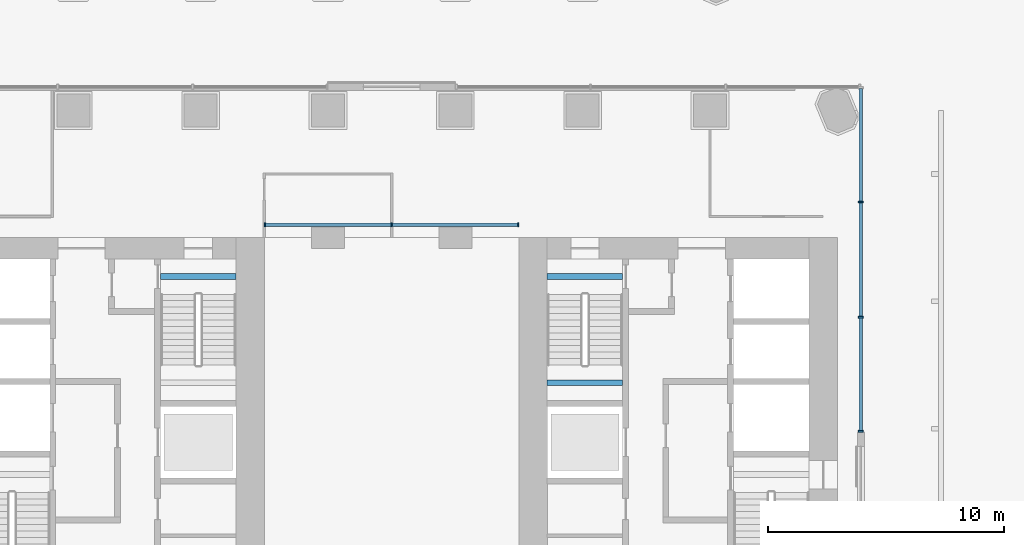
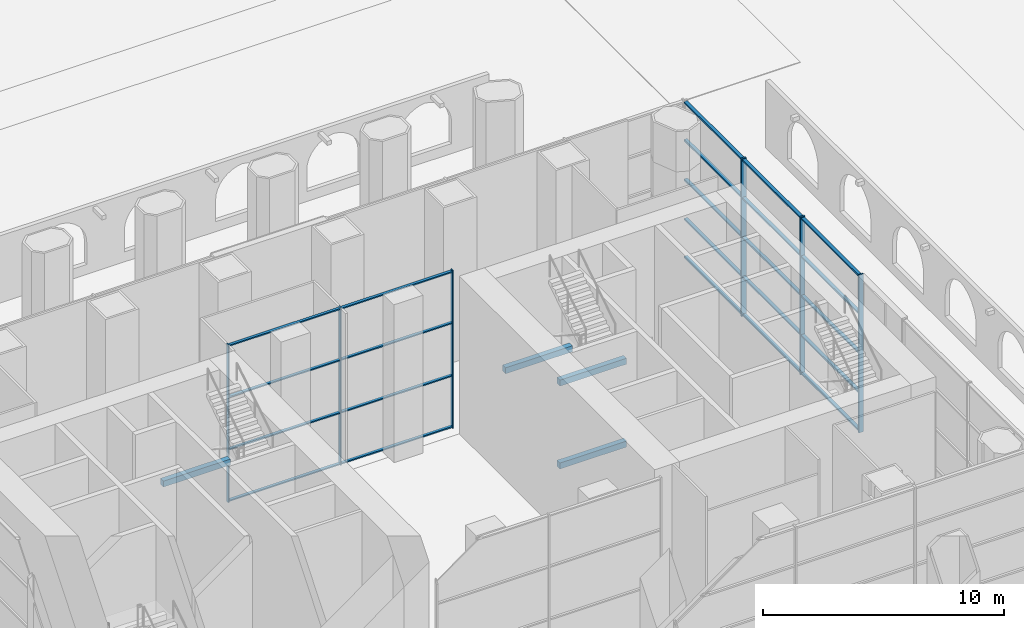
# One storey, part 10 of 54: 29 members, 4 beams, 2 elements without a shape of their own.
"""IFC4 building model written with IfcOpenShell, lengths in metres."""

from ifc_helpers import new_model, si_unit, direction, frame, origin, origin_2d, place, context, subcontext, project, spatial, rectangle, extrude, material, material_profile, profile_set, type_object, element, aggregate, save


model = new_model("IFC4")

# Units and contexts
model_context = context("Model", 3, precision=1e-05, world=origin(), true_north=direction((0.0, 1.0)))
body_context = subcontext(model_context, "Body", "Model", "MODEL_VIEW")
ifc_project = project(units=[si_unit("LENGTHUNIT", "METRE"), si_unit("AREAUNIT", "SQUARE_METRE"), si_unit("VOLUMEUNIT", "CUBIC_METRE"), si_unit("PLANEANGLEUNIT", "RADIAN"), si_unit("MASSUNIT", "GRAM", prefix="KILO")], contexts=[model_context])

# Site, building, storey
site_placement = place(None, origin())
site = spatial("IfcSite", under=ifc_project, at=site_placement, CompositionType="ELEMENT")
building_placement = place(site_placement, origin())
building = spatial("IfcBuilding", under=site, at=building_placement, Name="Tabaq Tower and Sports Hall", CompositionType="ELEMENT")
storey_placement = place(building_placement, origin())
storey = spatial("IfcBuildingStorey", under=building, at=storey_placement, Name="L00", CompositionType="ELEMENT", Elevation=0.0)

# Curtain wall, members
ifc_material_1 = material(Name="Aluminium alloy 6063-T6 framed glazing", Category="aluminium")
curtain_wall_type_1 = type_object("IfcCurtainWallType", Name="CW1 curtain wall", PredefinedType="USERDEFINED", material=ifc_material_1)
curtain_wall_1_placement = place(storey_placement, origin())
curtain_wall_1 = element("IfcCurtainWall", 1, at=curtain_wall_1_placement, inside=storey, type_object=curtain_wall_type_1, Name="Atrium glazing L00 N", ObjectType="ATRIUM ENCLOSURE", PredefinedType="USERDEFINED")
ifc_material_2 = material(Name="Aluminium alloy 6063-T6", Category="aluminium")
ifc_material_profile_1 = material_profile(ifc_material_2, rectangle(XDim=0.159912109375, YDim=0.06005859375, at=origin_2d()), Name="MULLION 160x60")
ifc_profile_set_1 = profile_set([ifc_material_profile_1], Name="Aluminium alloy 6063-T6")
member_type_1 = type_object("IfcMemberType", Name="CW1 mullion 160x60", PredefinedType="MULLION", material=ifc_profile_set_1)
member_1_placement = place(storey_placement, frame((18.929931640625, 32.949951171875, 0.0), z_axis=(0.0, 0.0, 1.0), x_axis=(0.0, 1.0, 0.0)))
member_1 = element("IfcMember", 2, at=member_1_placement, type_object=member_type_1, Name="CW1 mullion 1", PredefinedType="MULLION", context=body_context, shape_type="SweptSolid", body=[
    extrude(rectangle(XDim=0.159912109375, YDim=0.06005859375, at=origin_2d()), origin(), (0.0, 0.0, 1.0), 8.0),
])
member_2_placement = place(storey_placement, frame((24.300048828125, 32.949951171875, 0.0), z_axis=(0.0, 0.0, 1.0), x_axis=(0.0, 1.0, 0.0)))
member_2 = element("IfcMember", 3, at=member_2_placement, type_object=member_type_1, Name="CW1 mullion 2", PredefinedType="MULLION", context=body_context, shape_type="SweptSolid", body=[
    extrude(rectangle(XDim=0.159912109375, YDim=0.06005859375, at=origin_2d()), origin(), (0.0, 0.0, 1.0), 8.0),
])
member_3_placement = place(storey_placement, frame((29.669921875, 32.949951171875, 0.0), z_axis=(0.0, 0.0, 1.0), x_axis=(0.0, 1.0, 0.0)))
member_3 = element("IfcMember", 4, at=member_3_placement, type_object=member_type_1, Name="CW1 mullion 3", PredefinedType="MULLION", context=body_context, shape_type="SweptSolid", body=[
    extrude(rectangle(XDim=0.159912109375, YDim=0.06005859375, at=origin_2d()), origin(), (0.0, 0.0, 1.0), 8.0),
])
ifc_material_3 = material(Name="Aluminium alloy 6063-T6", Category="aluminium")
ifc_material_profile_2 = material_profile(ifc_material_3, rectangle(XDim=0.139892578125, YDim=0.06005859375, at=origin_2d()), Name="TRANSOM 140x60")
ifc_profile_set_2 = profile_set([ifc_material_profile_2], Name="Aluminium alloy 6063-T6")
member_type_2 = type_object("IfcMemberType", Name="CW1 transom 140x60", PredefinedType="USERDEFINED", material=ifc_profile_set_2)
member_4_placement = place(storey_placement, frame((18.9599609375, 32.949951171875, 0.070068359375), z_axis=(1.0, 0.0, 0.0), x_axis=(0.0, 1.0, 0.0)))
member_4 = element("IfcMember", 5, at=member_4_placement, type_object=member_type_2, Name="CW1 transom 1.1", ObjectType="TRANSOM", PredefinedType="USERDEFINED", context=body_context, shape_type="SweptSolid", body=[
    extrude(rectangle(XDim=0.139892578125, YDim=0.06005859375, at=origin_2d()), origin(), (0.0, 0.0, 1.0), 5.31005859375),
])
member_5_placement = place(storey_placement, frame((18.9599609375, 32.949951171875, 2.666748046875), z_axis=(1.0, 0.0, 0.0), x_axis=(0.0, 1.0, 0.0)))
member_5 = element("IfcMember", 6, at=member_5_placement, type_object=member_type_2, Name="CW1 transom 1.2", ObjectType="TRANSOM", PredefinedType="USERDEFINED", context=body_context, shape_type="SweptSolid", body=[
    extrude(rectangle(XDim=0.139892578125, YDim=0.06005859375, at=origin_2d()), origin(), (0.0, 0.0, 1.0), 5.31005859375),
])
member_6_placement = place(storey_placement, frame((18.9599609375, 32.949951171875, 5.333251953125), z_axis=(1.0, 0.0, 0.0), x_axis=(0.0, 1.0, 0.0)))
member_6 = element("IfcMember", 7, at=member_6_placement, type_object=member_type_2, Name="CW1 transom 1.3", ObjectType="TRANSOM", PredefinedType="USERDEFINED", context=body_context, shape_type="SweptSolid", body=[
    extrude(rectangle(XDim=0.139892578125, YDim=0.06005859375, at=origin_2d()), origin(), (0.0, 0.0, 1.0), 5.31005859375),
])
member_7_placement = place(storey_placement, frame((18.9599609375, 32.949951171875, 7.929931640625), z_axis=(1.0, 0.0, 0.0), x_axis=(0.0, 1.0, 0.0)))
member_7 = element("IfcMember", 8, at=member_7_placement, type_object=member_type_2, Name="CW1 transom 1.4", ObjectType="TRANSOM", PredefinedType="USERDEFINED", context=body_context, shape_type="SweptSolid", body=[
    extrude(rectangle(XDim=0.139892578125, YDim=0.06005859375, at=origin_2d()), origin(), (0.0, 0.0, 1.0), 5.31005859375),
])
member_8_placement = place(storey_placement, frame((24.330078125, 32.949951171875, 0.070068359375), z_axis=(1.0, 0.0, 0.0), x_axis=(0.0, 1.0, 0.0)))
member_8 = element("IfcMember", 9, at=member_8_placement, type_object=member_type_2, Name="CW1 transom 2.1", ObjectType="TRANSOM", PredefinedType="USERDEFINED", context=body_context, shape_type="SweptSolid", body=[
    extrude(rectangle(XDim=0.139892578125, YDim=0.06005859375, at=origin_2d()), origin(), (0.0, 0.0, 1.0), 5.309814453125),
])
member_9_placement = place(storey_placement, frame((24.330078125, 32.949951171875, 2.666748046875), z_axis=(1.0, 0.0, 0.0), x_axis=(0.0, 1.0, 0.0)))
member_9 = element("IfcMember", 10, at=member_9_placement, type_object=member_type_2, Name="CW1 transom 2.2", ObjectType="TRANSOM", PredefinedType="USERDEFINED", context=body_context, shape_type="SweptSolid", body=[
    extrude(rectangle(XDim=0.139892578125, YDim=0.06005859375, at=origin_2d()), origin(), (0.0, 0.0, 1.0), 5.309814453125),
])
member_10_placement = place(storey_placement, frame((24.330078125, 32.949951171875, 5.333251953125), z_axis=(1.0, 0.0, 0.0), x_axis=(0.0, 1.0, 0.0)))
member_10 = element("IfcMember", 11, at=member_10_placement, type_object=member_type_2, Name="CW1 transom 2.3", ObjectType="TRANSOM", PredefinedType="USERDEFINED", context=body_context, shape_type="SweptSolid", body=[
    extrude(rectangle(XDim=0.139892578125, YDim=0.06005859375, at=origin_2d()), origin(), (0.0, 0.0, 1.0), 5.309814453125),
])
member_11_placement = place(storey_placement, frame((24.330078125, 32.949951171875, 7.929931640625), z_axis=(1.0, 0.0, 0.0), x_axis=(0.0, 1.0, 0.0)))
member_11 = element("IfcMember", 12, at=member_11_placement, type_object=member_type_2, Name="CW1 transom 2.4", ObjectType="TRANSOM", PredefinedType="USERDEFINED", context=body_context, shape_type="SweptSolid", body=[
    extrude(rectangle(XDim=0.139892578125, YDim=0.06005859375, at=origin_2d()), origin(), (0.0, 0.0, 1.0), 5.309814453125),
])
aggregate(curtain_wall_1, [member_1, member_2, member_3, member_4, member_5, member_6, member_7, member_8, member_9, member_10, member_11])

ifc_material_4 = material(Name="Aluminium alloy 6063-T6 framed glazing", Category="aluminium")
curtain_wall_type_2 = type_object("IfcCurtainWallType", Name="CW4 curtain wall", PredefinedType="USERDEFINED", material=ifc_material_4)
curtain_wall_2_placement = place(storey_placement, origin())
curtain_wall_2 = element("IfcCurtainWall", 13, at=curtain_wall_2_placement, inside=storey, type_object=curtain_wall_type_2, Name="Ground lobby wall E", ObjectType="GROUND LOBBY WALL", PredefinedType="USERDEFINED")
ifc_material_5 = material(Name="Aluminium alloy 6063-T6", Category="aluminium")
ifc_material_profile_3 = material_profile(ifc_material_5, rectangle(XDim=0.219970703125, YDim=0.080078125, at=origin_2d()), Name="MULLION 220x80")
ifc_profile_set_3 = profile_set([ifc_material_profile_3], Name="Aluminium alloy 6063-T6")
member_type_3 = type_object("IfcMemberType", Name="CW4 mullion 220x80", PredefinedType="MULLION", material=ifc_profile_set_3)
member_12_placement = place(storey_placement, frame((44.199951171875, 33.916748046875, 0.0), z_axis=(0.0, 0.0, 1.0), x_axis=(1.0, 0.0, 0.0)))
member_12 = element("IfcMember", 14, at=member_12_placement, type_object=member_type_3, Name="CW4 mullion 2", PredefinedType="MULLION", context=body_context, shape_type="SweptSolid", body=[
    extrude(rectangle(XDim=0.219970703125, YDim=0.080078125, at=origin_2d()), origin(), (0.0, 0.0, 1.0), 8.0),
])
member_13_placement = place(storey_placement, frame((44.199951171875, 29.033447265625, 0.0), z_axis=(0.0, 0.0, 1.0), x_axis=(1.0, 0.0, 0.0)))
member_13 = element("IfcMember", 15, at=member_13_placement, type_object=member_type_3, Name="CW4 mullion 3", PredefinedType="MULLION", context=body_context, shape_type="SweptSolid", body=[
    extrude(rectangle(XDim=0.219970703125, YDim=0.080078125, at=origin_2d()), origin(), (0.0, 0.0, 1.0), 8.0),
])
member_14_placement = place(storey_placement, frame((44.199951171875, 24.18994140625, 0.0), z_axis=(0.0, 0.0, 1.0), x_axis=(1.0, 0.0, 0.0)))
member_14 = element("IfcMember", 16, at=member_14_placement, type_object=member_type_3, Name="CW4 mullion 4", PredefinedType="MULLION", context=body_context, shape_type="SweptSolid", body=[
    extrude(rectangle(XDim=0.219970703125, YDim=0.080078125, at=origin_2d()), origin(), (0.0, 0.0, 1.0), 8.0),
])
ifc_material_6 = material(Name="Aluminium alloy 6063-T6", Category="aluminium")
ifc_material_profile_4 = material_profile(ifc_material_6, rectangle(XDim=0.159912109375, YDim=0.080078125, at=origin_2d()), Name="TRANSOM 160x80")
ifc_profile_set_4 = profile_set([ifc_material_profile_4], Name="Aluminium alloy 6063-T6")
member_type_4 = type_object("IfcMemberType", Name="CW4 transom 160x80", PredefinedType="USERDEFINED", material=ifc_profile_set_4)
member_15_placement = place(storey_placement, frame((44.199951171875, 38.719970703125, 0.080078125), z_axis=(0.0, -1.0, 0.0), x_axis=(1.0, 0.0, 0.0)))
member_15 = element("IfcMember", 17, at=member_15_placement, type_object=member_type_4, Name="CW4 transom 1.1", ObjectType="TRANSOM", PredefinedType="USERDEFINED", context=body_context, shape_type="SweptSolid", body=[
    extrude(rectangle(XDim=0.159912109375, YDim=0.080078125, at=origin_2d()), origin(), (0.0, 0.0, 1.0), 4.76318359375),
])
member_16_placement = place(storey_placement, frame((44.199951171875, 38.719970703125, 2.0), z_axis=(0.0, -1.0, 0.0), x_axis=(1.0, 0.0, 0.0)))
member_16 = element("IfcMember", 18, at=member_16_placement, type_object=member_type_4, Name="CW4 transom 1.2", ObjectType="TRANSOM", PredefinedType="USERDEFINED", context=body_context, shape_type="SweptSolid", body=[
    extrude(rectangle(XDim=0.159912109375, YDim=0.080078125, at=origin_2d()), origin(), (0.0, 0.0, 1.0), 4.76318359375),
])
member_17_placement = place(storey_placement, frame((44.199951171875, 38.719970703125, 4.0), z_axis=(0.0, -1.0, 0.0), x_axis=(1.0, 0.0, 0.0)))
member_17 = element("IfcMember", 19, at=member_17_placement, type_object=member_type_4, Name="CW4 transom 1.3", ObjectType="TRANSOM", PredefinedType="USERDEFINED", context=body_context, shape_type="SweptSolid", body=[
    extrude(rectangle(XDim=0.159912109375, YDim=0.080078125, at=origin_2d()), origin(), (0.0, 0.0, 1.0), 4.76318359375),
])
member_18_placement = place(storey_placement, frame((44.199951171875, 38.719970703125, 6.0), z_axis=(0.0, -1.0, 0.0), x_axis=(1.0, 0.0, 0.0)))
member_18 = element("IfcMember", 20, at=member_18_placement, type_object=member_type_4, Name="CW4 transom 1.4", ObjectType="TRANSOM", PredefinedType="USERDEFINED", context=body_context, shape_type="SweptSolid", body=[
    extrude(rectangle(XDim=0.159912109375, YDim=0.080078125, at=origin_2d()), origin(), (0.0, 0.0, 1.0), 4.76318359375),
])
member_19_placement = place(storey_placement, frame((44.199951171875, 38.719970703125, 7.919921875), z_axis=(0.0, -1.0, 0.0), x_axis=(1.0, 0.0, 0.0)))
member_19 = element("IfcMember", 21, at=member_19_placement, type_object=member_type_4, Name="CW4 transom 1.5", ObjectType="TRANSOM", PredefinedType="USERDEFINED", context=body_context, shape_type="SweptSolid", body=[
    extrude(rectangle(XDim=0.159912109375, YDim=0.080078125, at=origin_2d()), origin(), (0.0, 0.0, 1.0), 4.76318359375),
])
member_20_placement = place(storey_placement, frame((44.199951171875, 33.876708984375, 0.080078125), z_axis=(0.0, -1.0, 0.0), x_axis=(1.0, 0.0, 0.0)))
member_20 = element("IfcMember", 22, at=member_20_placement, type_object=member_type_4, Name="CW4 transom 2.1", ObjectType="TRANSOM", PredefinedType="USERDEFINED", context=body_context, shape_type="SweptSolid", body=[
    extrude(rectangle(XDim=0.159912109375, YDim=0.080078125, at=origin_2d()), origin(), (0.0, 0.0, 1.0), 4.803466796875),
])
member_21_placement = place(storey_placement, frame((44.199951171875, 33.876708984375, 2.0), z_axis=(0.0, -1.0, 0.0), x_axis=(1.0, 0.0, 0.0)))
member_21 = element("IfcMember", 23, at=member_21_placement, type_object=member_type_4, Name="CW4 transom 2.2", ObjectType="TRANSOM", PredefinedType="USERDEFINED", context=body_context, shape_type="SweptSolid", body=[
    extrude(rectangle(XDim=0.159912109375, YDim=0.080078125, at=origin_2d()), origin(), (0.0, 0.0, 1.0), 4.803466796875),
])
member_22_placement = place(storey_placement, frame((44.199951171875, 33.876708984375, 4.0), z_axis=(0.0, -1.0, 0.0), x_axis=(1.0, 0.0, 0.0)))
member_22 = element("IfcMember", 24, at=member_22_placement, type_object=member_type_4, Name="CW4 transom 2.3", ObjectType="TRANSOM", PredefinedType="USERDEFINED", context=body_context, shape_type="SweptSolid", body=[
    extrude(rectangle(XDim=0.159912109375, YDim=0.080078125, at=origin_2d()), origin(), (0.0, 0.0, 1.0), 4.803466796875),
])
member_23_placement = place(storey_placement, frame((44.199951171875, 33.876708984375, 6.0), z_axis=(0.0, -1.0, 0.0), x_axis=(1.0, 0.0, 0.0)))
member_23 = element("IfcMember", 25, at=member_23_placement, type_object=member_type_4, Name="CW4 transom 2.4", ObjectType="TRANSOM", PredefinedType="USERDEFINED", context=body_context, shape_type="SweptSolid", body=[
    extrude(rectangle(XDim=0.159912109375, YDim=0.080078125, at=origin_2d()), origin(), (0.0, 0.0, 1.0), 4.803466796875),
])
member_24_placement = place(storey_placement, frame((44.199951171875, 33.876708984375, 7.919921875), z_axis=(0.0, -1.0, 0.0), x_axis=(1.0, 0.0, 0.0)))
member_24 = element("IfcMember", 26, at=member_24_placement, type_object=member_type_4, Name="CW4 transom 2.5", ObjectType="TRANSOM", PredefinedType="USERDEFINED", context=body_context, shape_type="SweptSolid", body=[
    extrude(rectangle(XDim=0.159912109375, YDim=0.080078125, at=origin_2d()), origin(), (0.0, 0.0, 1.0), 4.803466796875),
])
member_25_placement = place(storey_placement, frame((44.199951171875, 28.993408203125, 0.080078125), z_axis=(0.0, -1.0, 0.0), x_axis=(1.0, 0.0, 0.0)))
member_25 = element("IfcMember", 27, at=member_25_placement, type_object=member_type_4, Name="CW4 transom 3.1", ObjectType="TRANSOM", PredefinedType="USERDEFINED", context=body_context, shape_type="SweptSolid", body=[
    extrude(rectangle(XDim=0.159912109375, YDim=0.080078125, at=origin_2d()), origin(), (0.0, 0.0, 1.0), 4.763427734375),
])
member_26_placement = place(storey_placement, frame((44.199951171875, 28.993408203125, 2.0), z_axis=(0.0, -1.0, 0.0), x_axis=(1.0, 0.0, 0.0)))
member_26 = element("IfcMember", 28, at=member_26_placement, type_object=member_type_4, Name="CW4 transom 3.2", ObjectType="TRANSOM", PredefinedType="USERDEFINED", context=body_context, shape_type="SweptSolid", body=[
    extrude(rectangle(XDim=0.159912109375, YDim=0.080078125, at=origin_2d()), origin(), (0.0, 0.0, 1.0), 4.763427734375),
])
member_27_placement = place(storey_placement, frame((44.199951171875, 28.993408203125, 4.0), z_axis=(0.0, -1.0, 0.0), x_axis=(1.0, 0.0, 0.0)))
member_27 = element("IfcMember", 29, at=member_27_placement, type_object=member_type_4, Name="CW4 transom 3.3", ObjectType="TRANSOM", PredefinedType="USERDEFINED", context=body_context, shape_type="SweptSolid", body=[
    extrude(rectangle(XDim=0.159912109375, YDim=0.080078125, at=origin_2d()), origin(), (0.0, 0.0, 1.0), 4.763427734375),
])
member_28_placement = place(storey_placement, frame((44.199951171875, 28.993408203125, 6.0), z_axis=(0.0, -1.0, 0.0), x_axis=(1.0, 0.0, 0.0)))
member_28 = element("IfcMember", 30, at=member_28_placement, type_object=member_type_4, Name="CW4 transom 3.4", ObjectType="TRANSOM", PredefinedType="USERDEFINED", context=body_context, shape_type="SweptSolid", body=[
    extrude(rectangle(XDim=0.159912109375, YDim=0.080078125, at=origin_2d()), origin(), (0.0, 0.0, 1.0), 4.763427734375),
])
member_29_placement = place(storey_placement, frame((44.199951171875, 28.993408203125, 7.919921875), z_axis=(0.0, -1.0, 0.0), x_axis=(1.0, 0.0, 0.0)))
member_29 = element("IfcMember", 31, at=member_29_placement, type_object=member_type_4, Name="CW4 transom 3.5", ObjectType="TRANSOM", PredefinedType="USERDEFINED", context=body_context, shape_type="SweptSolid", body=[
    extrude(rectangle(XDim=0.159912109375, YDim=0.080078125, at=origin_2d()), origin(), (0.0, 0.0, 1.0), 4.763427734375),
])
aggregate(curtain_wall_2, [member_12, member_13, member_14, member_15, member_16, member_17, member_18, member_19, member_20, member_21, member_22, member_23, member_24, member_25, member_26, member_27, member_28, member_29])

# Beams
ifc_material_7 = material(Name="Concrete C40/50", Category="concrete")
ifc_material_profile_5 = material_profile(ifc_material_7, rectangle(XDim=0.25, YDim=0.300048828125, at=origin_2d()), Name="RC 250x300")
ifc_profile_set_5 = profile_set([ifc_material_profile_5], Name="Concrete C40/50")
beam_type = type_object("IfcBeamType", Name="Stair landing beam 250x300", PredefinedType="BEAM", material=ifc_profile_set_5)
beam_placement = place(storey_placement, frame((14.5, 30.75, 3.85009765625), z_axis=(1.0, 0.0, 0.0), x_axis=(0.0, 1.0, 0.0)))
element("IfcBeam", 32, at=beam_placement, inside=storey, type_object=beam_type, Name="L00 ST2 landing beam 2", PredefinedType="BEAM", context=body_context, shape_type="SweptSolid", body=[
    extrude(rectangle(XDim=0.25, YDim=0.300048828125, at=origin_2d()), origin(), (0.0, 0.0, 1.0), 3.199951171875),
])
for number, where, z_axis, x_axis, name in (
    (33, (30.89990234375, 26.25, 1.75), (1.0, 0.0, 0.0), (0.0, 1.0, 0.0), "L00 ST4 landing beam 1"),
    (34, (30.89990234375, 30.75, 3.85009765625), (1.0, 0.0, 0.0), (0.0, 1.0, 0.0), "L00 ST4 landing beam 2"),
    (35, (30.89990234375, 26.25, 5.949951171875), (1.0, 0.0, 0.0), (0.0, 1.0, 0.0), "L00 ST4 landing beam 3"),
):
    element("IfcBeam", number, at=place(storey_placement, frame(where, z_axis=z_axis, x_axis=x_axis)), inside=storey, type_object=beam_type, Name=name, PredefinedType="BEAM", context=body_context, shape_type="SweptSolid", body=[
        extrude(rectangle(XDim=0.25, YDim=0.300048828125, at=origin_2d()), origin(), (0.0, 0.0, 1.0), 3.2001953125),
    ])

save(model, "model.ifc")
